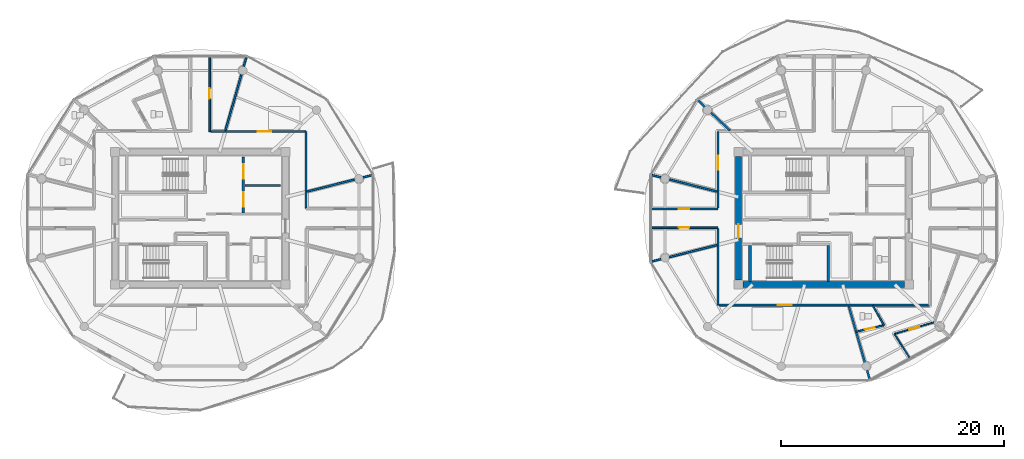
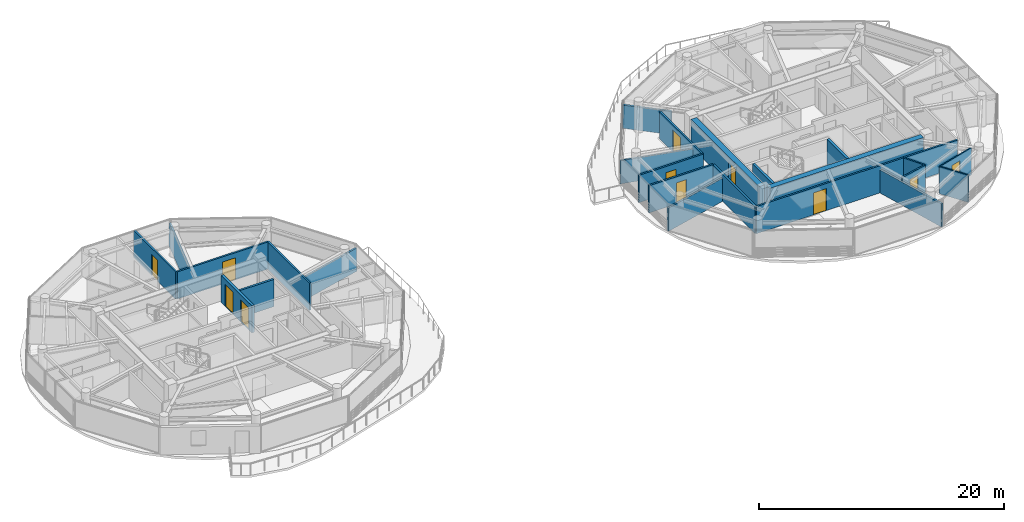
# One storey, part 11 of 21: 24 walls, 11 doors, 11 openings.
"""IFC4 building model written with IfcOpenShell, lengths in metres."""

from ifc_helpers import new_model, si_unit, direction, frame, frame_2d, origin, place, context, subcontext, project, spatial, rectangle, extrude, source, transform, mapped, material, layer, layer_set, type_object, type_shapes, element, fill, save


model = new_model("IFC4")

# Units and contexts
model_context = context("Model", 3, precision=1e-05, world=origin(), true_north=direction((0.0, 1.0)))
body_context = subcontext(model_context, "Body", "Model", "MODEL_VIEW")
ifc_project = project(units=[si_unit("LENGTHUNIT", "METRE"), si_unit("AREAUNIT", "SQUARE_METRE"), si_unit("VOLUMEUNIT", "CUBIC_METRE"), si_unit("PLANEANGLEUNIT", "RADIAN"), si_unit("MASSUNIT", "GRAM", prefix="KILO")], contexts=[model_context])

# Site, building, storey
site_placement = place(None, origin())
site = spatial("IfcSite", under=ifc_project, at=site_placement, CompositionType="ELEMENT")
building_placement = place(site_placement, origin())
building = spatial("IfcBuilding", under=site, at=building_placement, Name="Norrkilde Senior Care Towers", CompositionType="ELEMENT")
storey_placement = place(building_placement, frame((0.0, 0.0, 241.35009765625)))
storey = spatial("IfcBuildingStorey", under=building, at=storey_placement, Name="L75", CompositionType="ELEMENT", Elevation=241.35009765625)

# Wall
ifc_material_1 = material(Name="Concrete C50/60", Category="concrete")
ifc_layer_1 = layer(ifc_material_1, 0.52001953125)
ifc_layer_set_1 = layer_set([ifc_layer_1], Name="Concrete C50/60")
wall_type_1 = type_object("IfcWallType", Name="Core Shear Wall Z4 520", PredefinedType="SHEAR", material=ifc_layer_set_1)
shared_shape_1 = source(origin(), body_context, "Body", "SweptSolid", [
    extrude(rectangle(XDim=14.5, YDim=0.52001953125, at=frame_2d((7.25, 0.0))), origin(), (0.0, 0.0, 1.0), 2.72998046875),
])
wall_1_placement = place(storey_placement, frame((35.25, -5.949951171875, 0.0), z_axis=(0.0, 0.0, 1.0), x_axis=(-1.0, 0.0, 0.0)))
element("IfcWall", 1, at=wall_1_placement, inside=storey, type_object=wall_type_1, Name="L75 Core E South Shear Wall", PredefinedType="SHEAR", context=body_context, shape_type="MappedRepresentation", body=[
    mapped(shared_shape_1, transform((0.0, 0.0, 0.0), x_axis=(1.0, 0.0, 0.0), y_axis=(0.0, 1.0, 0.0), z_axis=(0.0, 0.0, 1.0), scale=1.0)),
])

# Wall, opening, door
shared_shape_2 = source(origin(), body_context, "Body", "SweptSolid", [
    extrude(rectangle(XDim=11.10009765625, YDim=0.52001953125, at=frame_2d((5.550048828125, 0.0))), origin(), (0.0, 0.0, 1.0), 2.72998046875),
])
type_shapes(wall_type_1, [shared_shape_1, shared_shape_2])
wall_2_placement = place(storey_placement, frame((20.35009765625, -5.550048828125, 0.0), z_axis=(0.0, 0.0, 1.0), x_axis=(0.0, 1.0, 0.0)))
wall_2 = element("IfcWall", 2, at=wall_2_placement, inside=storey, type_object=wall_type_1, Name="L75 Core E West Shear Wall", PredefinedType="SHEAR", context=body_context, shape_type="MappedRepresentation", body=[
    mapped(shared_shape_2, transform((0.0, 0.0, 0.0), x_axis=(1.0, 0.0, 0.0), y_axis=(0.0, 1.0, 0.0), z_axis=(0.0, 0.0, 1.0), scale=1.0)),
])
opening_1_placement = place(wall_2_placement, frame((3.800048828125, 0.0, 0.0)))
opening_1 = element("IfcOpeningElement", 3, at=opening_1_placement, cuts=wall_2, Name="Opening D-04", PredefinedType="OPENING", context=body_context, shape_type="SweptSolid", body=[
    extrude(rectangle(XDim=1.199951171875, YDim=2.14990234375, at=frame_2d((0.60009765625, 1.074951171875))), frame((0.0, 0.27001953125, 0.0), z_axis=(0.0, -1.0, 0.0), x_axis=(1.0, 0.0, 0.0)), (0.0, 0.0, 1.0), 0.5400390625),
])
ifc_material_2 = material(Name="Galvanised Painted Steel", Category="steel")
door_type_1 = type_object("IfcDoorType", Name="Firefighting Lobby Fire Door 1200x2150", OperationType="NOTDEFINED", PredefinedType="DOOR", material=ifc_material_2)
shared_shape_3 = source(origin(), body_context, "Body", "SweptSolid", [
    extrude(rectangle(XDim=1.199951171875, YDim=2.14990234375, at=frame_2d((0.60009765625, 1.074951171875))), frame((0.0, 0.02490234375, 0.0), z_axis=(0.0, -1.0, 0.0), x_axis=(1.0, 0.0, 0.0)), (0.0, 0.0, 1.0), 0.050048828125),
])
type_shapes(door_type_1, [shared_shape_3])
door_1_placement = place(opening_1_placement, frame((1.199951171875, 0.0, 0.0), z_axis=(0.0, 0.0, 1.0), x_axis=(-1.0, 0.0, 0.0)))
door_1 = element("IfcDoor", 4, at=door_1_placement, inside=storey, type_object=door_type_1, Name="L75 Core E West Portal Door", OperationType="SINGLE_SWING_LEFT", OverallHeight=2.14990234375, OverallWidth=1.199951171875, PredefinedType="DOOR", context=body_context, shape_type="MappedRepresentation", body=[
    mapped(shared_shape_3, transform((0.0, 0.0, 0.0), x_axis=(1.0, 0.0, 0.0), y_axis=(0.0, 1.0, 0.0), z_axis=(0.0, 0.0, 1.0), scale=1.0)),
])
fill(opening_1, door_1)

# Wall, openings, doors
ifc_material_3 = material(Name="Concrete C45/55", Category="concrete")
ifc_layer_2 = layer(ifc_material_3, 0.239990234375)
ifc_layer_set_2 = layer_set([ifc_layer_2], Name="Concrete C45/55")
wall_type_2 = type_object("IfcWallType", Name="Lift and Plant Rated Enclosure Partition 240", PredefinedType="PARTITIONING", material=ifc_layer_set_2)
shared_shape_4 = source(origin(), body_context, "Body", "SweptSolid", [
    extrude(rectangle(XDim=5.0, YDim=0.239990234375, at=frame_2d((2.5, 0.0))), origin(), (0.0, 0.0, 1.0), 2.71484375),
])
type_shapes(wall_type_2, [shared_shape_4])
wall_3_placement = place(storey_placement, frame((-24.139892578125, 0.5, 0.0), z_axis=(0.0, 0.0, 1.0), x_axis=(0.0, 1.0, 0.0)))
wall_3 = element("IfcWall", 5, at=wall_3_placement, inside=storey, type_object=wall_type_2, Name="WL-INT-L75-W-FFLE", PredefinedType="PARTITIONING", context=body_context, shape_type="MappedRepresentation", body=[
    mapped(shared_shape_4, transform((0.0, 0.0, 0.0), x_axis=(1.0, 0.0, 0.0), y_axis=(0.0, 1.0, 0.0), z_axis=(0.0, 0.0, 1.0), scale=1.0)),
])
opening_2_placement = place(wall_3_placement, frame((3.050048828125, 0.0, 0.0)))
opening_2 = element("IfcOpeningElement", 6, at=opening_2_placement, cuts=wall_3, Name="Opening LD-02", PredefinedType="OPENING", context=body_context, shape_type="SweptSolid", body=[
    extrude(rectangle(XDim=1.300048828125, YDim=2.199951171875, at=frame_2d((0.64990234375, 1.10009765625))), frame((0.0, 0.1298828125, 0.0), z_axis=(0.0, -1.0, 0.0), x_axis=(1.0, 0.0, 0.0)), (0.0, 0.0, 1.0), 0.260009765625),
])
opening_3_placement = place(wall_3_placement, frame((0.550048828125, 0.0, 0.0)))
opening_3 = element("IfcOpeningElement", 7, at=opening_3_placement, cuts=wall_3, Name="Opening LD-02", PredefinedType="OPENING", context=body_context, shape_type="SweptSolid", body=[
    extrude(rectangle(XDim=1.300048828125, YDim=2.199951171875, at=frame_2d((0.64990234375, 1.10009765625))), frame((0.0, 0.1298828125, 0.0), z_axis=(0.0, -1.0, 0.0), x_axis=(1.0, 0.0, 0.0)), (0.0, 0.0, 1.0), 0.260009765625),
])
ifc_material_4 = material(Name="Stainless Steel", Category="steel")
door_type_2 = type_object("IfcDoorType", Name="Stretcher and FFL Landing Sliding Door 1300x2200", OperationType="NOTDEFINED", PredefinedType="DOOR", material=ifc_material_4)
shared_shape_5 = source(origin(), body_context, "Body", "SweptSolid", [
    extrude(rectangle(XDim=1.300048828125, YDim=2.199951171875, at=frame_2d((0.64990234375, 1.10009765625))), frame((0.0, 0.02490234375, 0.0), z_axis=(0.0, -1.0, 0.0), x_axis=(1.0, 0.0, 0.0)), (0.0, 0.0, 1.0), 0.050048828125),
])
type_shapes(door_type_2, [shared_shape_5])
door_2_placement = place(opening_2_placement, origin())
door_2 = element("IfcDoor", 8, at=door_2_placement, inside=storey, type_object=door_type_2, Name="L75 Firefighting Lift W1 Landing Door", OperationType="SLIDING_TO_LEFT", OverallHeight=2.199951171875, OverallWidth=1.300048828125, PredefinedType="DOOR", context=body_context, shape_type="MappedRepresentation", body=[
    mapped(shared_shape_5, transform((0.0, 0.0, 0.0), x_axis=(1.0, 0.0, 0.0), y_axis=(0.0, 1.0, 0.0), z_axis=(0.0, 0.0, 1.0), scale=1.0)),
])
fill(opening_2, door_2)
door_3_placement = place(opening_3_placement, origin())
door_3 = element("IfcDoor", 9, at=door_3_placement, inside=storey, type_object=door_type_2, Name="L75 Stretcher Lift W1 Landing Door", OperationType="SLIDING_TO_RIGHT", OverallHeight=2.199951171875, OverallWidth=1.300048828125, PredefinedType="DOOR", context=body_context, shape_type="MappedRepresentation", body=[
    mapped(shared_shape_5, transform((0.0, 0.0, 0.0), x_axis=(1.0, 0.0, 0.0), y_axis=(0.0, 1.0, 0.0), z_axis=(0.0, 0.0, 1.0), scale=1.0)),
])
fill(opening_3, door_3)

# Wall
ifc_layer_3 = layer(ifc_material_3, 0.199951171875)
ifc_layer_set_3 = layer_set([ifc_layer_3], Name="Concrete C45/55")
wall_type_3 = type_object("IfcWallType", Name="Shaft Division and Plant Partition 200", PredefinedType="PARTITIONING", material=ifc_layer_set_3)
shared_shape_6 = source(origin(), body_context, "Body", "SweptSolid", [
    extrude(rectangle(XDim=3.199951171875, YDim=0.199951171875, at=frame_2d((1.60009765625, 0.0))), origin(), (0.0, 0.0, 1.0), 2.71484375),
])
type_shapes(wall_type_3, [shared_shape_6])
wall_4_placement = place(storey_placement, frame((-24.0, 2.949951171875, 0.0), z_axis=(0.0, 0.0, 1.0), x_axis=(1.0, 0.0, 0.0)))
element("IfcWall", 10, at=wall_4_placement, inside=storey, type_object=wall_type_3, Name="WL-INT-L75-W-FFLDIV", PredefinedType="PARTITIONING", context=body_context, shape_type="MappedRepresentation", body=[
    mapped(shared_shape_6, transform((0.0, 0.0, 0.0), x_axis=(1.0, 0.0, 0.0), y_axis=(0.0, 1.0, 0.0), z_axis=(0.0, 0.0, 1.0), scale=1.0)),
])

# Wall, opening, door
ifc_material_5 = material(Name="Gypsum Acoustic Board")
ifc_layer_4 = layer(ifc_material_5, 0.1650390625)
ifc_layer_set_4 = layer_set([ifc_layer_4], Name="Gypsum Acoustic Board")
wall_type_4 = type_object("IfcWallType", Name="Corridor Rated Partition 165", PredefinedType="PARTITIONING", material=ifc_layer_set_4)
shared_shape_7 = source(origin(), body_context, "Body", "SweptSolid", [
    extrude(rectangle(XDim=8.580078125, YDim=0.1650390625, at=frame_2d((4.2900390625, 0.0))), origin(), (0.0, 0.0, 1.0), 2.71484375),
])
wall_5_placement = place(storey_placement, frame((-27.080078125, 7.800048828125, 0.0), z_axis=(0.0, 0.0, 1.0), x_axis=(1.0, 0.0, 0.0)))
wall_5 = element("IfcWall", 11, at=wall_5_placement, inside=storey, type_object=wall_type_4, Name="WL-INT-L75-W-CRW-N-1", PredefinedType="PARTITIONING", context=body_context, shape_type="MappedRepresentation", body=[
    mapped(shared_shape_7, transform((0.0, 0.0, 0.0), x_axis=(1.0, 0.0, 0.0), y_axis=(0.0, 1.0, 0.0), z_axis=(0.0, 0.0, 1.0), scale=1.0)),
])
opening_4_placement = place(wall_5_placement, frame((4.2197265625, 0.0, 0.0)))
opening_4 = element("IfcOpeningElement", 12, at=opening_4_placement, cuts=wall_5, Name="Opening D-05", PredefinedType="OPENING", context=body_context, shape_type="SweptSolid", body=[
    extrude(rectangle(XDim=1.25, YDim=2.199951171875, at=frame_2d((0.625, 1.10009765625))), frame((0.0, 0.092529296875, 0.0), z_axis=(0.0, -1.0, 0.0), x_axis=(1.0, 0.0, 0.0)), (0.0, 0.0, 1.0), 0.18505859375),
])
ifc_material_6 = material(Name="Nordic Ash Timber", Category="wood")
door_type_3 = type_object("IfcDoorType", Name="Care Bedroom Bariatric Door 1250x2200", OperationType="NOTDEFINED", PredefinedType="DOOR", material=ifc_material_6)
shared_shape_8 = source(origin(), body_context, "Body", "SweptSolid", [
    extrude(rectangle(XDim=1.25, YDim=2.199951171875, at=frame_2d((0.625, 1.10009765625))), frame((0.0, 0.02490234375, 0.0), z_axis=(0.0, -1.0, 0.0), x_axis=(1.0, 0.0, 0.0)), (0.0, 0.0, 1.0), 0.050048828125),
])
type_shapes(door_type_3, [shared_shape_8])
door_4_placement = place(opening_4_placement, frame((1.25, 0.0, 0.0), z_axis=(0.0, 0.0, 1.0), x_axis=(-1.0, 0.0, 0.0)))
door_4 = element("IfcDoor", 13, at=door_4_placement, inside=storey, type_object=door_type_3, Name="L75 Resident Therapeutic Day Lounge Door", OperationType="SINGLE_SWING_LEFT", OverallHeight=2.199951171875, OverallWidth=1.25, PredefinedType="DOOR", context=body_context, shape_type="MappedRepresentation", body=[
    mapped(shared_shape_8, transform((0.0, 0.0, 0.0), x_axis=(1.0, 0.0, 0.0), y_axis=(0.0, 1.0, 0.0), z_axis=(0.0, 0.0, 1.0), scale=1.0)),
])
fill(opening_4, door_4)

shared_shape_9 = source(origin(), body_context, "Body", "SweptSolid", [
    extrude(rectangle(XDim=19.0, YDim=0.1650390625, at=frame_2d((9.5, 0.0))), origin(), (0.0, 0.0, 1.0), 2.71484375),
])
wall_6_placement = place(storey_placement, frame((37.5, -7.800048828125, 0.0), z_axis=(0.0, 0.0, 1.0), x_axis=(-1.0, 0.0, 0.0)))
wall_6 = element("IfcWall", 14, at=wall_6_placement, inside=storey, type_object=wall_type_4, Name="WL-INT-L75-E-CRW-S-0", PredefinedType="PARTITIONING", context=body_context, shape_type="MappedRepresentation", body=[
    mapped(shared_shape_9, transform((0.0, 0.0, 0.0), x_axis=(1.0, 0.0, 0.0), y_axis=(0.0, 1.0, 0.0), z_axis=(0.0, 0.0, 1.0), scale=1.0)),
])
opening_5_placement = place(wall_6_placement, frame((12.373291015625, 0.0, 0.0)))
opening_5 = element("IfcOpeningElement", 15, at=opening_5_placement, cuts=wall_6, Name="Opening D-05", PredefinedType="OPENING", context=body_context, shape_type="SweptSolid", body=[
    extrude(rectangle(XDim=1.25, YDim=2.199951171875, at=frame_2d((0.625, 1.10009765625))), frame((0.0, 0.092529296875, 0.0), z_axis=(0.0, -1.0, 0.0), x_axis=(1.0, 0.0, 0.0)), (0.0, 0.0, 1.0), 0.18505859375),
])
door_5_placement = place(opening_5_placement, frame((1.25, 0.0, 0.0), z_axis=(0.0, 0.0, 1.0), x_axis=(-1.0, 0.0, 0.0)))
door_5 = element("IfcDoor", 16, at=door_5_placement, inside=storey, type_object=door_type_3, Name="L75 Senior Wellness Library Lounge Door", OperationType="SINGLE_SWING_LEFT", OverallHeight=2.199951171875, OverallWidth=1.25, PredefinedType="DOOR", context=body_context, shape_type="MappedRepresentation", body=[
    mapped(shared_shape_8, transform((0.0, 0.0, 0.0), x_axis=(1.0, 0.0, 0.0), y_axis=(0.0, 1.0, 0.0), z_axis=(0.0, 0.0, 1.0), scale=1.0)),
])
fill(opening_5, door_5)

# Walls
shared_shape_10 = source(origin(), body_context, "Body", "SweptSolid", [
    extrude(rectangle(XDim=6.880126953125, YDim=0.1650390625, at=frame_2d((3.43994140625, 0.0))), origin(), (0.0, 0.0, 1.0), 2.71484375),
])
for number, where, z_axis, x_axis, name in (
    (17, (-18.5, 7.800048828125, 0.0), (0.0, 0.0, 1.0), (0.0, -1.0, 0.0), "WL-INT-L75-W-CRW-E-0"),
    (18, (18.5, -7.800048828125, 0.0), (0.0, 0.0, 1.0), (0.0, 1.0, 0.0), "WL-INT-L75-E-CRW-W-0"),
):
    element("IfcWall", number, at=place(storey_placement, frame(where, z_axis=z_axis, x_axis=x_axis)), inside=storey, type_object=wall_type_4, Name=name, PredefinedType="PARTITIONING", context=body_context, shape_type="MappedRepresentation", body=[
        mapped(shared_shape_10, transform((0.0, 0.0, 0.0), x_axis=(1.0, 0.0, 0.0), y_axis=(0.0, 1.0, 0.0), z_axis=(0.0, 0.0, 1.0), scale=1.0)),
    ])

# Wall, opening, door
wall_7_placement = place(storey_placement, frame((18.5, 0.919921875, 0.0), z_axis=(0.0, 0.0, 1.0), x_axis=(0.0, 1.0, 0.0)))
wall_7 = element("IfcWall", 19, at=wall_7_placement, inside=storey, type_object=wall_type_4, Name="WL-INT-L75-E-CRW-W-1", PredefinedType="PARTITIONING", context=body_context, shape_type="MappedRepresentation", body=[
    mapped(shared_shape_10, transform((0.0, 0.0, 0.0), x_axis=(1.0, 0.0, 0.0), y_axis=(0.0, 1.0, 0.0), z_axis=(0.0, 0.0, 1.0), scale=1.0)),
])
opening_6_placement = place(wall_7_placement, frame((3.46435546875, 0.0, 0.0)))
opening_6 = element("IfcOpeningElement", 20, at=opening_6_placement, cuts=wall_7, Name="Opening D-05", PredefinedType="OPENING", context=body_context, shape_type="SweptSolid", body=[
    extrude(rectangle(XDim=1.25, YDim=2.199951171875, at=frame_2d((0.625, 1.10009765625))), frame((0.0, 0.092529296875, 0.0), z_axis=(0.0, -1.0, 0.0), x_axis=(1.0, 0.0, 0.0)), (0.0, 0.0, 1.0), 0.18505859375),
])
door_6_placement = place(opening_6_placement, frame((1.25, 0.0, 0.0), z_axis=(0.0, 0.0, 1.0), x_axis=(-1.0, 0.0, 0.0)))
door_6 = element("IfcDoor", 21, at=door_6_placement, inside=storey, type_object=door_type_3, Name="L75 Care Coordination Charting Office Door", OperationType="SINGLE_SWING_LEFT", OverallHeight=2.199951171875, OverallWidth=1.25, PredefinedType="DOOR", context=body_context, shape_type="MappedRepresentation", body=[
    mapped(shared_shape_8, transform((0.0, 0.0, 0.0), x_axis=(1.0, 0.0, 0.0), y_axis=(0.0, 1.0, 0.0), z_axis=(0.0, 0.0, 1.0), scale=1.0)),
])
fill(opening_6, door_6)

# Walls
ifc_layer_5 = layer(ifc_material_3, 0.239990234375)
ifc_layer_set_5 = layer_set([ifc_layer_5], Name="Concrete C45/55")
wall_type_5 = type_object("IfcWallType", Name="Shaft and Stair Enclosure Wall 240", PredefinedType="PARTITIONING", material=ifc_layer_set_5)
shared_shape_11 = source(origin(), body_context, "Body", "SweptSolid", [
    extrude(rectangle(XDim=3.239990234375, YDim=0.239990234375, at=frame_2d((1.6201171875, 0.0))), origin(), (0.0, 0.0, 1.0), 2.72998046875),
])
type_shapes(wall_type_5, [shared_shape_11])
for number, where, z_axis, x_axis, name in (
    (22, (21.3798828125, -5.68994140625, 0.0), (0.0, 0.0, 1.0), (0.0, 1.0, 0.0), "WL-INT-L75-E-ST2W"),
    (23, (28.419921875, -5.68994140625, 0.0), (0.0, 0.0, 1.0), (0.0, 1.0, 0.0), "WL-INT-L75-E-ST2E"),
):
    element("IfcWall", number, at=place(storey_placement, frame(where, z_axis=z_axis, x_axis=x_axis)), inside=storey, type_object=wall_type_5, Name=name, PredefinedType="PARTITIONING", context=body_context, shape_type="MappedRepresentation", body=[
        mapped(shared_shape_11, transform((0.0, 0.0, 0.0), x_axis=(1.0, 0.0, 0.0), y_axis=(0.0, 1.0, 0.0), z_axis=(0.0, 0.0, 1.0), scale=1.0)),
    ])
shared_shape_12 = source(origin(), body_context, "Body", "SweptSolid", [
    extrude(rectangle(XDim=6.973876953125, YDim=0.1650390625, at=frame_2d((3.48681640625, 0.0))), origin(), (0.0, 0.0, 1.0), 2.31494140625),
])
wall_8_placement = place(storey_placement, frame((-25.748779296875, 7.8798828125, 0.0), z_axis=(0.0, 0.0, 1.0), x_axis=(0.274707256801, 0.961527910703, 0.0)))
element("IfcWall", 24, at=wall_8_placement, inside=storey, type_object=wall_type_4, Name="WL-INT-L75-W-DEM-02-0", PredefinedType="PARTITIONING", context=body_context, shape_type="MappedRepresentation", body=[
    mapped(shared_shape_12, transform((0.0, 0.0, 0.0), x_axis=(1.0, 0.0, 0.0), y_axis=(0.0, 1.0, 0.0), z_axis=(0.0, 0.0, 1.0), scale=1.0)),
])
shared_shape_13 = source(origin(), body_context, "Body", "SweptSolid", [
    extrude(rectangle(XDim=6.1572265625, YDim=0.1650390625, at=frame_2d((3.07861328125, 0.0))), origin(), (0.0, 0.0, 1.0), 2.31494140625),
])
for number, where, z_axis, x_axis, name in (
    (25, (-18.419921875, 2.407470703125, 0.0), (0.0, 0.0, 1.0), (0.969840867184, 0.243738984038, 0.0), "WL-INT-L75-W-DEM-00-0"),
    (26, (18.419921875, 2.407470703125, 0.0), (0.0, 0.0, 1.0), (-0.969840867184, 0.243738984038, 0.0), "WL-INT-L75-E-DEM-05-0"),
    (27, (18.419921875, -2.407470703125, 0.0), (0.0, 0.0, 1.0), (-0.969840867184, -0.243738984038, 0.0), "WL-INT-L75-E-DEM-06-0"),
):
    element("IfcWall", number, at=place(storey_placement, frame(where, z_axis=z_axis, x_axis=x_axis)), inside=storey, type_object=wall_type_4, Name=name, PredefinedType="PARTITIONING", context=body_context, shape_type="MappedRepresentation", body=[
        mapped(shared_shape_13, transform((0.0, 0.0, 0.0), x_axis=(1.0, 0.0, 0.0), y_axis=(0.0, 1.0, 0.0), z_axis=(0.0, 0.0, 1.0), scale=1.0)),
    ])

# Wall, opening, door
shared_shape_14 = source(origin(), body_context, "Body", "SweptSolid", [
    extrude(rectangle(XDim=6.83544921875, YDim=0.1650390625, at=frame_2d((3.417724609375, 0.0))), origin(), (0.0, 0.0, 1.0), 2.71484375),
])
wall_9_placement = place(storey_placement, frame((-27.159912109375, 14.635498046875, 0.0), z_axis=(0.0, 0.0, 1.0), x_axis=(0.0, -1.0, 0.0)))
wall_9 = element("IfcWall", 28, at=wall_9_placement, inside=storey, type_object=wall_type_4, Name="WL-INT-L75-W-SPK-N2-0", PredefinedType="PARTITIONING", context=body_context, shape_type="MappedRepresentation", body=[
    mapped(shared_shape_14, transform((0.0, 0.0, 0.0), x_axis=(1.0, 0.0, 0.0), y_axis=(0.0, 1.0, 0.0), z_axis=(0.0, 0.0, 1.0), scale=1.0)),
])
opening_7_placement = place(wall_9_placement, frame((2.942626953125, 0.0, 0.0)))
opening_7 = element("IfcOpeningElement", 29, at=opening_7_placement, cuts=wall_9, Name="Opening D-07", PredefinedType="OPENING", context=body_context, shape_type="SweptSolid", body=[
    extrude(rectangle(XDim=0.949951171875, YDim=2.10009765625, at=frame_2d((0.47509765625, 1.050048828125))), frame((0.0, 0.092529296875, 0.0), z_axis=(0.0, -1.0, 0.0), x_axis=(1.0, 0.0, 0.0)), (0.0, 0.0, 1.0), 0.18505859375),
])
door_type_4 = type_object("IfcDoorType", Name="Internal Suite Bedroom Door 950x2100", OperationType="NOTDEFINED", PredefinedType="DOOR", material=ifc_material_6)
shared_shape_15 = source(origin(), body_context, "Body", "SweptSolid", [
    extrude(rectangle(XDim=0.949951171875, YDim=2.10009765625, at=frame_2d((0.47509765625, 1.050048828125))), frame((0.0, 0.02490234375, 0.0), z_axis=(0.0, -1.0, 0.0), x_axis=(1.0, 0.0, 0.0)), (0.0, 0.0, 1.0), 0.050048828125),
])
type_shapes(door_type_4, [shared_shape_15])
door_7_placement = place(opening_7_placement, frame((0.949951171875, 0.0, 0.0), z_axis=(0.0, 0.0, 1.0), x_axis=(-1.0, 0.0, 0.0)))
door_7 = element("IfcDoor", 30, at=door_7_placement, inside=storey, type_object=door_type_4, Name="L75 Sun Reading Lounge 4 Door", OperationType="SINGLE_SWING_LEFT", OverallHeight=2.10009765625, OverallWidth=0.949951171875, PredefinedType="DOOR", context=body_context, shape_type="MappedRepresentation", body=[
    mapped(shared_shape_15, transform((0.0, 0.0, 0.0), x_axis=(1.0, 0.0, 0.0), y_axis=(0.0, 1.0, 0.0), z_axis=(0.0, 0.0, 1.0), scale=1.0)),
])
fill(opening_7, door_7)

shared_shape_16 = source(origin(), body_context, "Body", "SweptSolid", [
    extrude(rectangle(XDim=6.101318359375, YDim=0.1650390625, at=frame_2d((3.05078125, 0.0))), origin(), (0.0, 0.0, 1.0), 2.71484375),
])
type_shapes(wall_type_4, [shared_shape_7, shared_shape_9, shared_shape_10, shared_shape_12, shared_shape_13, shared_shape_14, shared_shape_16])
wall_10_placement = place(storey_placement, frame((12.398681640625, 0.840087890625, 0.0), z_axis=(0.0, 0.0, 1.0), x_axis=(1.0, 0.0, 0.0)))
wall_10 = element("IfcWall", 31, at=wall_10_placement, inside=storey, type_object=wall_type_4, Name="WL-INT-L75-E-SPK-W1-0", PredefinedType="PARTITIONING", context=body_context, shape_type="MappedRepresentation", body=[
    mapped(shared_shape_16, transform((0.0, 0.0, 0.0), x_axis=(1.0, 0.0, 0.0), y_axis=(0.0, 1.0, 0.0), z_axis=(0.0, 0.0, 1.0), scale=1.0)),
])
opening_8_placement = place(wall_10_placement, frame((2.57568359375, 0.0, 0.0)))
opening_8 = element("IfcOpeningElement", 32, at=opening_8_placement, cuts=wall_10, Name="Opening D-07", PredefinedType="OPENING", context=body_context, shape_type="SweptSolid", body=[
    extrude(rectangle(XDim=0.949951171875, YDim=2.10009765625, at=frame_2d((0.47509765625, 1.050048828125))), frame((0.0, 0.092529296875, 0.0), z_axis=(0.0, -1.0, 0.0), x_axis=(1.0, 0.0, 0.0)), (0.0, 0.0, 1.0), 0.18505859375),
])
door_8_placement = place(opening_8_placement, frame((0.949951171875, 0.0, 0.0), z_axis=(0.0, 0.0, 1.0), x_axis=(-1.0, 0.0, 0.0)))
door_8 = element("IfcDoor", 33, at=door_8_placement, inside=storey, type_object=door_type_4, Name="L75 Sun Reading Lounge 2 Door", OperationType="SINGLE_SWING_LEFT", OverallHeight=2.10009765625, OverallWidth=0.949951171875, PredefinedType="DOOR", context=body_context, shape_type="MappedRepresentation", body=[
    mapped(shared_shape_15, transform((0.0, 0.0, 0.0), x_axis=(1.0, 0.0, 0.0), y_axis=(0.0, 1.0, 0.0), z_axis=(0.0, 0.0, 1.0), scale=1.0)),
])
fill(opening_8, door_8)

wall_11_placement = place(storey_placement, frame((18.5, -0.840087890625, 0.0), z_axis=(0.0, 0.0, 1.0), x_axis=(-1.0, 0.0, 0.0)))
wall_11 = element("IfcWall", 34, at=wall_11_placement, inside=storey, type_object=wall_type_4, Name="WL-INT-L75-E-SPK-W2-0", PredefinedType="PARTITIONING", context=body_context, shape_type="MappedRepresentation", body=[
    mapped(shared_shape_16, transform((0.0, 0.0, 0.0), x_axis=(1.0, 0.0, 0.0), y_axis=(0.0, 1.0, 0.0), z_axis=(0.0, 0.0, 1.0), scale=1.0)),
])
opening_9_placement = place(wall_11_placement, frame((2.57568359375, 0.0, 0.0)))
opening_9 = element("IfcOpeningElement", 35, at=opening_9_placement, cuts=wall_11, Name="Opening D-07", PredefinedType="OPENING", context=body_context, shape_type="SweptSolid", body=[
    extrude(rectangle(XDim=0.949951171875, YDim=2.10009765625, at=frame_2d((0.47509765625, 1.050048828125))), frame((0.0, 0.092529296875, 0.0), z_axis=(0.0, -1.0, 0.0), x_axis=(1.0, 0.0, 0.0)), (0.0, 0.0, 1.0), 0.18505859375),
])
door_9_placement = place(opening_9_placement, frame((0.949951171875, 0.0, 0.0), z_axis=(0.0, 0.0, 1.0), x_axis=(-1.0, 0.0, 0.0)))
door_9 = element("IfcDoor", 36, at=door_9_placement, inside=storey, type_object=door_type_4, Name="L75 Sun Reading Lounge 1 Door", OperationType="SINGLE_SWING_RIGHT", OverallHeight=2.10009765625, OverallWidth=0.949951171875, PredefinedType="DOOR", context=body_context, shape_type="MappedRepresentation", body=[
    mapped(shared_shape_15, transform((0.0, 0.0, 0.0), x_axis=(1.0, 0.0, 0.0), y_axis=(0.0, 1.0, 0.0), z_axis=(0.0, 0.0, 1.0), scale=1.0)),
])
fill(opening_9, door_9)

# Walls
ifc_layer_6 = layer(ifc_material_5, 0.18994140625)
ifc_layer_set_6 = layer_set([ifc_layer_6], Name="Gypsum Acoustic Board")
wall_type_6 = type_object("IfcWallType", Name="Unit Demising Acoustic Wall 190", PredefinedType="PARTITIONING", material=ifc_layer_set_6)
shared_shape_17 = source(origin(), body_context, "Body", "SweptSolid", [
    extrude(rectangle(XDim=4.089111328125, YDim=0.18994140625, at=frame_2d((2.04443359375, 0.0))), origin(), (0.0, 0.0, 1.0), 2.31494140625),
])
wall_12_placement = place(storey_placement, frame((19.59814453125, 7.8798828125, 0.0), z_axis=(0.0, 0.0, 1.0), x_axis=(-0.729401273609, 0.684086092577, 0.0)))
element("IfcWall", 37, at=wall_12_placement, inside=storey, type_object=wall_type_6, Name="WL-INT-L75-E-DEM-04-0", PredefinedType="PARTITIONING", context=body_context, shape_type="MappedRepresentation", body=[
    mapped(shared_shape_17, transform((0.0, 0.0, 0.0), x_axis=(1.0, 0.0, 0.0), y_axis=(0.0, 1.0, 0.0), z_axis=(0.0, 0.0, 1.0), scale=1.0)),
])
shared_shape_18 = source(origin(), body_context, "Body", "SweptSolid", [
    extrude(rectangle(XDim=6.973876953125, YDim=0.18994140625, at=frame_2d((3.48681640625, 0.0))), origin(), (0.0, 0.0, 1.0), 2.31494140625),
])
type_shapes(wall_type_6, [shared_shape_17, shared_shape_18])
wall_13_placement = place(storey_placement, frame((30.251220703125, -7.8798828125, 0.0), z_axis=(0.0, 0.0, 1.0), x_axis=(0.274707256801, -0.961527910703, 0.0)))
element("IfcWall", 38, at=wall_13_placement, inside=storey, type_object=wall_type_6, Name="WL-INT-L75-E-DEM-09-0", PredefinedType="PARTITIONING", context=body_context, shape_type="MappedRepresentation", body=[
    mapped(shared_shape_18, transform((0.0, 0.0, 0.0), x_axis=(1.0, 0.0, 0.0), y_axis=(0.0, 1.0, 0.0), z_axis=(0.0, 0.0, 1.0), scale=1.0)),
])
ifc_layer_7 = layer(ifc_material_5, 0.139892578125)
ifc_layer_set_7 = layer_set([ifc_layer_7], Name="Gypsum Acoustic Board")
wall_type_7 = type_object("IfcWallType", Name="En-suite Wet Room Wall 140", PredefinedType="PARTITIONING", material=ifc_layer_set_7)
shared_shape_19 = source(origin(), body_context, "Body", "SweptSolid", [
    extrude(rectangle(XDim=2.035400390625, YDim=0.139892578125, at=frame_2d((1.017578125, 0.0))), origin(), (0.0, 0.0, 1.0), 2.71484375),
])
wall_14_placement = place(storey_placement, frame((32.4150390625, -7.830078125, 0.0), z_axis=(0.0, 0.0, 1.0), x_axis=(0.491092509169, -0.871107425888, 0.0)))
element("IfcWall", 39, at=wall_14_placement, inside=storey, type_object=wall_type_7, Name="WL-INT-L75-E-UBTS-09", PredefinedType="PARTITIONING", context=body_context, shape_type="MappedRepresentation", body=[
    mapped(shared_shape_19, transform((0.0, 0.0, 0.0), x_axis=(1.0, 0.0, 0.0), y_axis=(0.0, 1.0, 0.0), z_axis=(0.0, 0.0, 1.0), scale=1.0)),
])

# Wall, opening, door
shared_shape_20 = source(origin(), body_context, "Body", "SweptSolid", [
    extrude(rectangle(XDim=2.58642578125, YDim=0.139892578125, at=frame_2d((1.293212890625, 0.0))), origin(), (0.0, 0.0, 1.0), 2.71484375),
])
type_shapes(wall_type_7, [shared_shape_19, shared_shape_20])
wall_15_placement = place(storey_placement, frame((33.41455078125, -9.60302734375, 0.0), z_axis=(0.0, 0.0, 1.0), x_axis=(-0.973691298219, -0.227871138526, 0.0)))
wall_15 = element("IfcWall", 40, at=wall_15_placement, inside=storey, type_object=wall_type_7, Name="WL-INT-L75-E-UBTF-09", PredefinedType="PARTITIONING", context=body_context, shape_type="MappedRepresentation", body=[
    mapped(shared_shape_20, transform((0.0, 0.0, 0.0), x_axis=(1.0, 0.0, 0.0), y_axis=(0.0, 1.0, 0.0), z_axis=(0.0, 0.0, 1.0), scale=1.0)),
])
opening_10_placement = place(wall_15_placement, frame((0.833251953125, 0.0, 0.0)))
opening_10 = element("IfcOpeningElement", 41, at=opening_10_placement, cuts=wall_15, Name="Opening D-08", PredefinedType="OPENING", context=body_context, shape_type="SweptSolid", body=[
    extrude(rectangle(XDim=0.919921875, YDim=2.10009765625, at=frame_2d((0.4599609375, 1.050048828125))), frame((0.0, 0.079833984375, 0.0), z_axis=(0.0, -1.0, 0.0), x_axis=(1.0, 0.0, 0.0)), (0.0, 0.0, 1.0), 0.159912109375),
])
door_type_5 = type_object("IfcDoorType", Name="Accessible Wet Room Door 920x2100", OperationType="NOTDEFINED", PredefinedType="DOOR", material=ifc_material_6)
shared_shape_21 = source(origin(), body_context, "Body", "SweptSolid", [
    extrude(rectangle(XDim=0.919921875, YDim=2.10009765625, at=frame_2d((0.4599609375, 1.050048828125))), frame((0.0, 0.02490234375, 0.0), z_axis=(0.0, -1.0, 0.0), x_axis=(1.0, 0.0, 0.0)), (0.0, 0.0, 1.0), 0.050048828125),
])
type_shapes(door_type_5, [shared_shape_21])
door_10_placement = place(opening_10_placement, origin())
door_10 = element("IfcDoor", 42, at=door_10_placement, inside=storey, type_object=door_type_5, Name="Apartment 75E Bathroom Door", OperationType="SINGLE_SWING_LEFT", OverallHeight=2.10009765625, OverallWidth=0.919921875, PredefinedType="DOOR", context=body_context, shape_type="MappedRepresentation", body=[
    mapped(shared_shape_21, transform((0.0, 0.0, 0.0), x_axis=(1.0, 0.0, 0.0), y_axis=(0.0, 1.0, 0.0), z_axis=(0.0, 0.0, 1.0), scale=1.0)),
])
fill(opening_10, door_10)

# Wall
ifc_layer_8 = layer(ifc_material_5, 0.114990234375)
ifc_layer_set_8 = layer_set([ifc_layer_8], Name="Gypsum Acoustic Board")
wall_type_8 = type_object("IfcWallType", Name="Internal Room Partition 115", PredefinedType="PARTITIONING", material=ifc_layer_set_8)
shared_shape_22 = source(origin(), body_context, "Body", "SweptSolid", [
    extrude(rectangle(XDim=2.66162109375, YDim=0.114990234375, at=frame_2d((1.330810546875, 0.0))), origin(), (0.0, 0.0, 1.0), 2.71484375),
])
wall_16_placement = place(storey_placement, frame((34.35546875, -10.380126953125, 0.0), z_axis=(0.0, 0.0, 1.0), x_axis=(0.533547747092, -0.845769946009, 0.0)))
element("IfcWall", 43, at=wall_16_placement, inside=storey, type_object=wall_type_8, Name="WL-INT-L75-E-UKTS-09", PredefinedType="PARTITIONING", context=body_context, shape_type="MappedRepresentation", body=[
    mapped(shared_shape_22, transform((0.0, 0.0, 0.0), x_axis=(1.0, 0.0, 0.0), y_axis=(0.0, 1.0, 0.0), z_axis=(0.0, 0.0, 1.0), scale=1.0)),
])

# Wall, opening, door
shared_shape_23 = source(origin(), body_context, "Body", "SweptSolid", [
    extrude(rectangle(XDim=3.70166015625, YDim=0.114990234375, at=frame_2d((1.850830078125, 0.0))), origin(), (0.0, 0.0, 1.0), 2.71484375),
])
type_shapes(wall_type_8, [shared_shape_22, shared_shape_23])
wall_17_placement = place(storey_placement, frame((34.35546875, -10.380126953125, 0.0), z_axis=(0.0, 0.0, 1.0), x_axis=(0.960044309887, 0.279848035645, 0.0)))
wall_17 = element("IfcWall", 44, at=wall_17_placement, inside=storey, type_object=wall_type_8, Name="WL-INT-L75-E-UKTF-09", PredefinedType="PARTITIONING", context=body_context, shape_type="MappedRepresentation", body=[
    mapped(shared_shape_23, transform((0.0, 0.0, 0.0), x_axis=(1.0, 0.0, 0.0), y_axis=(0.0, 1.0, 0.0), z_axis=(0.0, 0.0, 1.0), scale=1.0)),
])
opening_11_placement = place(wall_17_placement, frame((1.3759765625, 0.0, 0.0)))
opening_11 = element("IfcOpeningElement", 45, at=opening_11_placement, cuts=wall_17, Name="Opening D-07", PredefinedType="OPENING", context=body_context, shape_type="SweptSolid", body=[
    extrude(rectangle(XDim=0.949951171875, YDim=2.10009765625, at=frame_2d((0.47509765625, 1.050048828125))), frame((0.0, 0.0673828125, 0.0), z_axis=(0.0, -1.0, 0.0), x_axis=(1.0, 0.0, 0.0)), (0.0, 0.0, 1.0), 0.135009765625),
])
door_11_placement = place(opening_11_placement, frame((0.949951171875, 0.0, 0.0), z_axis=(0.0, 0.0, 1.0), x_axis=(-1.0, 0.0, 0.0)))
door_11 = element("IfcDoor", 46, at=door_11_placement, inside=storey, type_object=door_type_4, Name="Apartment 75E Kitchen Door", OperationType="SINGLE_SWING_RIGHT", OverallHeight=2.10009765625, OverallWidth=0.949951171875, PredefinedType="DOOR", context=body_context, shape_type="MappedRepresentation", body=[
    mapped(shared_shape_15, transform((0.0, 0.0, 0.0), x_axis=(1.0, 0.0, 0.0), y_axis=(0.0, 1.0, 0.0), z_axis=(0.0, 0.0, 1.0), scale=1.0)),
])
fill(opening_11, door_11)

save(model, "model.ifc")
